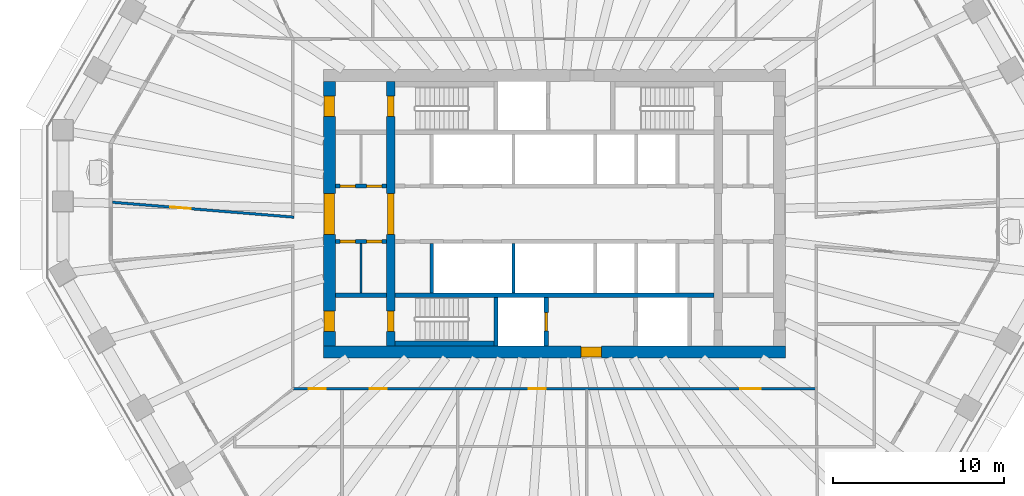
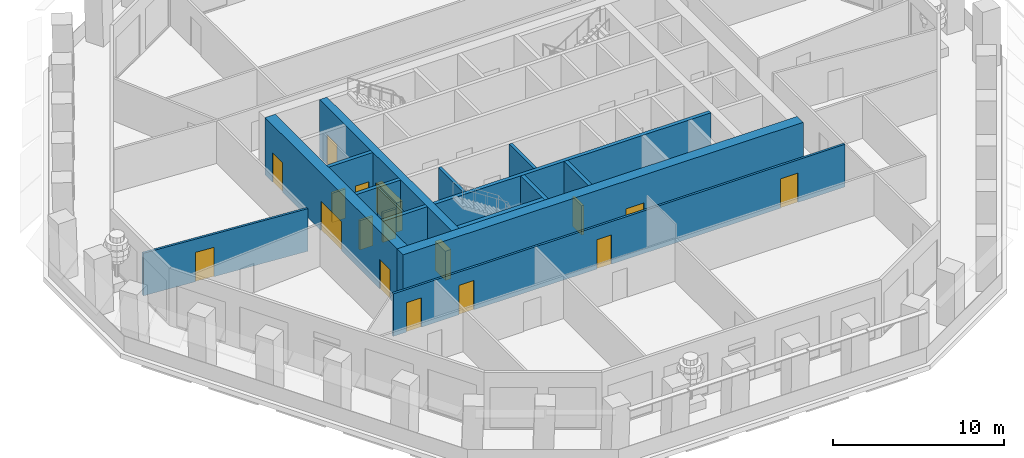
# One storey, part 4 of 13: 17 doors, 15 walls, 17 openings.
"""IFC4 building model written with IfcOpenShell, lengths in metres."""

from ifc_helpers import new_model, si_unit, direction, frame, frame_2d, origin, place, context, subcontext, project, spatial, rectangle, extrude, material, layer, layer_set, type_object, element, fill, save


model = new_model("IFC4")

# Units and contexts
model_context = context("Model", 3, precision=1e-05, world=origin(), true_north=direction((0.0, 1.0)))
body_context = subcontext(model_context, "Body", "Model", "MODEL_VIEW")
ifc_project = project(units=[si_unit("LENGTHUNIT", "METRE"), si_unit("AREAUNIT", "SQUARE_METRE"), si_unit("VOLUMEUNIT", "CUBIC_METRE"), si_unit("PLANEANGLEUNIT", "RADIAN"), si_unit("MASSUNIT", "GRAM", prefix="KILO")], contexts=[model_context])

# Site, building, storey
site_placement = place(None, origin())
site = spatial("IfcSite", under=ifc_project, at=site_placement, CompositionType="ELEMENT")
building_placement = place(site_placement, origin())
building = spatial("IfcBuilding", under=site, at=building_placement, Name="Frailejon Research Tower", CompositionType="ELEMENT")
storey_placement = place(building_placement, frame((0.0, 0.0, 167.199951171875)))
storey = spatial("IfcBuildingStorey", under=building, at=storey_placement, Name="L36", CompositionType="ELEMENT", Elevation=167.199951171875)

# Wall
ifc_material_1 = material(Name="Plasterboard on steel studs", Category="steel")
ifc_layer_1 = layer(ifc_material_1, 0.125)
ifc_layer_set_1 = layer_set([ifc_layer_1], Name="Core partition 125")
wall_type_1 = type_object("IfcWallType", Name="Core partition 125", PredefinedType="PARTITIONING", material=ifc_layer_set_1)
wall_1_placement = place(storey_placement, frame((-11.35009765625, -4.64990234375, 0.0), z_axis=(0.0, 0.0, 1.0), x_axis=(0.0, 1.0, 0.0)))
element("IfcWall", 1, at=wall_1_placement, inside=storey, type_object=wall_type_1, Name="Core partition", PredefinedType="PARTITIONING", context=body_context, shape_type="SweptSolid", body=[
    extrude(rectangle(XDim=2.89990234375, YDim=0.125, at=frame_2d((1.449951171875, 0.0))), origin(), (0.0, 0.0, 1.0), 4.10009765625),
])

# Wall, openings, doors
ifc_material_2 = material(Name="Concrete C60/75", Category="concrete")
ifc_layer_2 = layer(ifc_material_2, 0.5)
ifc_layer_set_2 = layer_set([ifc_layer_2], Name="Core shear wall 500 C60/75")
wall_type_2 = type_object("IfcWallType", Name="Core shear wall 500 C60/75", PredefinedType="SHEAR", material=ifc_layer_set_2)
wall_2_placement = place(storey_placement, frame((-9.60009765625, -7.75, 0.0), z_axis=(0.0, 0.0, 1.0), x_axis=(0.0, 1.0, 0.0)))
wall_2 = element("IfcWall", 2, at=wall_2_placement, inside=storey, type_object=wall_type_2, Name="Core shear wall", PredefinedType="SHEAR", context=body_context, shape_type="SweptSolid", body=[
    extrude(rectangle(XDim=15.5, YDim=0.5, at=frame_2d((7.75, 0.0))), origin(), (0.0, 0.0, 1.0), 4.10009765625),
])
opening_1_placement = place(wall_2_placement, frame((6.550048828125, 0.0, 0.0)))
opening_1 = element("IfcOpeningElement", 3, at=opening_1_placement, cuts=wall_2, Name="Opening D2", PredefinedType="OPENING", context=body_context, shape_type="SweptSolid", body=[
    extrude(rectangle(XDim=2.39990234375, YDim=2.10009765625, at=frame_2d((1.199951171875, 1.050048828125))), frame((0.0, 0.260009765625, 0.0), z_axis=(0.0, -1.0, 0.0), x_axis=(1.0, 0.0, 0.0)), (0.0, 0.0, 1.0), 0.52001953125),
])
opening_2_placement = place(wall_2_placement, frame((13.449951171875, 0.0, 0.0)))
opening_2 = element("IfcOpeningElement", 4, at=opening_2_placement, cuts=wall_2, Name="Opening D1", PredefinedType="OPENING", context=body_context, shape_type="SweptSolid", body=[
    extrude(rectangle(XDim=1.199951171875, YDim=2.10009765625, at=frame_2d((0.60009765625, 1.050048828125))), frame((0.0, 0.260009765625, 0.0), z_axis=(0.0, -1.0, 0.0), x_axis=(1.0, 0.0, 0.0)), (0.0, 0.0, 1.0), 0.52001953125),
])
opening_3_placement = place(wall_2_placement, frame((0.85009765625, 0.0, 0.0)))
opening_3 = element("IfcOpeningElement", 5, at=opening_3_placement, cuts=wall_2, Name="Opening D1", PredefinedType="OPENING", context=body_context, shape_type="SweptSolid", body=[
    extrude(rectangle(XDim=1.199951171875, YDim=2.10009765625, at=frame_2d((0.60009765625, 1.050048828125))), frame((0.0, 0.260009765625, 0.0), z_axis=(0.0, -1.0, 0.0), x_axis=(1.0, 0.0, 0.0)), (0.0, 0.0, 1.0), 0.52001953125),
])
ifc_material_3 = material(Name="Steel", Category="steel")
door_type_1 = type_object("IfcDoorType", Name="Lobby double door", OperationType="DOUBLE_DOOR_SINGLE_SWING", PredefinedType="DOOR", material=ifc_material_3)
door_1_placement = place(opening_1_placement, origin())
door_1 = element("IfcDoor", 6, at=door_1_placement, inside=storey, type_object=door_type_1, Name="Lobby door", OperationType="DOUBLE_DOOR_SINGLE_SWING", OverallHeight=2.10009765625, OverallWidth=2.39990234375, PredefinedType="DOOR", context=body_context, shape_type="SweptSolid", body=[
    extrude(rectangle(XDim=2.39990234375, YDim=2.10009765625, at=frame_2d((1.199951171875, 1.050048828125))), frame((0.0, 0.199951171875, 0.0), z_axis=(0.0, -1.0, 0.0), x_axis=(1.0, 0.0, 0.0)), (0.0, 0.0, 1.0), 0.39990234375),
])
fill(opening_1, door_1)
ifc_material_4 = material(Name="Steel", Category="steel")
door_type_2 = type_object("IfcDoorType", Name="Stair door", OperationType="SINGLE_SWING_LEFT", PredefinedType="DOOR", material=ifc_material_4)
door_2_placement = place(opening_2_placement, origin())
door_2 = element("IfcDoor", 7, at=door_2_placement, inside=storey, type_object=door_type_2, Name="Stair door ST1", OperationType="SINGLE_SWING_LEFT", OverallHeight=2.10009765625, OverallWidth=1.199951171875, PredefinedType="DOOR", context=body_context, shape_type="SweptSolid", body=[
    extrude(rectangle(XDim=1.199951171875, YDim=2.10009765625, at=frame_2d((0.60009765625, 1.050048828125))), frame((0.0, 0.199951171875, 0.0), z_axis=(0.0, -1.0, 0.0), x_axis=(1.0, 0.0, 0.0)), (0.0, 0.0, 1.0), 0.39990234375),
])
fill(opening_2, door_2)
door_3_placement = place(opening_3_placement, origin())
door_3 = element("IfcDoor", 8, at=door_3_placement, inside=storey, type_object=door_type_2, Name="Stair door ST2", OperationType="SINGLE_SWING_LEFT", OverallHeight=2.10009765625, OverallWidth=1.199951171875, PredefinedType="DOOR", context=body_context, shape_type="SweptSolid", body=[
    extrude(rectangle(XDim=1.199951171875, YDim=2.10009765625, at=frame_2d((0.60009765625, 1.050048828125))), frame((0.0, 0.199951171875, 0.0), z_axis=(0.0, -1.0, 0.0), x_axis=(1.0, 0.0, 0.0)), (0.0, 0.0, 1.0), 0.39990234375),
])
fill(opening_3, door_3)

# Wall, opening, door
ifc_material_5 = material(Name="Concrete C60/75", Category="concrete")
ifc_layer_3 = layer(ifc_material_5, 0.699951171875)
ifc_layer_set_3 = layer_set([ifc_layer_3], Name="Core shear wall 700 C60/75")
wall_type_3 = type_object("IfcWallType", Name="Core shear wall 700 C60/75", PredefinedType="SHEAR", material=ifc_layer_set_3)
wall_3_placement = place(storey_placement, frame((-13.550048828125, -8.10009765625, 0.0), z_axis=(0.0, 0.0, 1.0), x_axis=(1.0, 0.0, 0.0)))
wall_3 = element("IfcWall", 9, at=wall_3_placement, inside=storey, type_object=wall_type_3, Name="Core shear wall", PredefinedType="SHEAR", context=body_context, shape_type="SweptSolid", body=[
    extrude(rectangle(XDim=27.10009765625, YDim=0.699951171875, at=frame_2d((13.550048828125, 0.0))), origin(), (0.0, 0.0, 1.0), 4.10009765625),
])
opening_4_placement = place(wall_3_placement, frame((15.10009765625, 0.0, 0.0)))
opening_4 = element("IfcOpeningElement", 10, at=opening_4_placement, cuts=wall_3, Name="Opening D3", PredefinedType="OPENING", context=body_context, shape_type="SweptSolid", body=[
    extrude(rectangle(XDim=1.199951171875, YDim=2.10009765625, at=frame_2d((0.60009765625, 1.050048828125))), frame((0.0, 0.35986328125, 0.0), z_axis=(0.0, -1.0, 0.0), x_axis=(1.0, 0.0, 0.0)), (0.0, 0.0, 1.0), 0.719970703125),
])
ifc_material_6 = material(Name="Steel", Category="steel")
door_type_3 = type_object("IfcDoorType", Name="Firefighting lobby door", OperationType="SINGLE_SWING_LEFT", PredefinedType="DOOR", material=ifc_material_6)
door_4_placement = place(opening_4_placement, origin())
door_4 = element("IfcDoor", 11, at=door_4_placement, inside=storey, type_object=door_type_3, Name="Firefighting lobby door", OperationType="SINGLE_SWING_LEFT", OverallHeight=2.10009765625, OverallWidth=1.199951171875, PredefinedType="DOOR", context=body_context, shape_type="SweptSolid", body=[
    extrude(rectangle(XDim=1.199951171875, YDim=2.10009765625, at=frame_2d((0.60009765625, 1.050048828125))), frame((0.0, 0.300048828125, 0.0), z_axis=(0.0, -1.0, 0.0), x_axis=(1.0, 0.0, 0.0)), (0.0, 0.0, 1.0), 0.60009765625),
])
fill(opening_4, door_4)

# Wall, openings, doors
wall_4_placement = place(storey_placement, frame((-13.199951171875, -7.75, 0.0), z_axis=(0.0, 0.0, 1.0), x_axis=(0.0, 1.0, 0.0)))
wall_4 = element("IfcWall", 12, at=wall_4_placement, inside=storey, type_object=wall_type_3, Name="Core shear wall", PredefinedType="SHEAR", context=body_context, shape_type="SweptSolid", body=[
    extrude(rectangle(XDim=15.5, YDim=0.699951171875, at=frame_2d((7.75, 0.0))), origin(), (0.0, 0.0, 1.0), 4.10009765625),
])
opening_5_placement = place(wall_4_placement, frame((6.550048828125, 0.0, 0.0)))
opening_5 = element("IfcOpeningElement", 13, at=opening_5_placement, cuts=wall_4, Name="Opening D2", PredefinedType="OPENING", context=body_context, shape_type="SweptSolid", body=[
    extrude(rectangle(XDim=2.39990234375, YDim=2.10009765625, at=frame_2d((1.199951171875, 1.050048828125))), frame((0.0, 0.35986328125, 0.0), z_axis=(0.0, -1.0, 0.0), x_axis=(1.0, 0.0, 0.0)), (0.0, 0.0, 1.0), 0.719970703125),
])
opening_6_placement = place(wall_4_placement, frame((13.449951171875, 0.0, 0.0)))
opening_6 = element("IfcOpeningElement", 14, at=opening_6_placement, cuts=wall_4, Name="Opening D7", PredefinedType="OPENING", context=body_context, shape_type="SweptSolid", body=[
    extrude(rectangle(XDim=1.199951171875, YDim=2.10009765625, at=frame_2d((0.60009765625, 1.050048828125))), frame((0.0, 0.35986328125, 0.0), z_axis=(0.0, -1.0, 0.0), x_axis=(1.0, 0.0, 0.0)), (0.0, 0.0, 1.0), 0.719970703125),
])
opening_7_placement = place(wall_4_placement, frame((0.85009765625, 0.0, 0.0)))
opening_7 = element("IfcOpeningElement", 15, at=opening_7_placement, cuts=wall_4, Name="Opening D7", PredefinedType="OPENING", context=body_context, shape_type="SweptSolid", body=[
    extrude(rectangle(XDim=1.199951171875, YDim=2.10009765625, at=frame_2d((0.60009765625, 1.050048828125))), frame((0.0, 0.35986328125, 0.0), z_axis=(0.0, -1.0, 0.0), x_axis=(1.0, 0.0, 0.0)), (0.0, 0.0, 1.0), 0.719970703125),
])
door_5_placement = place(opening_5_placement, origin())
door_5 = element("IfcDoor", 16, at=door_5_placement, inside=storey, type_object=door_type_1, Name="Lobby door", OperationType="DOUBLE_DOOR_SINGLE_SWING", OverallHeight=2.10009765625, OverallWidth=2.39990234375, PredefinedType="DOOR", context=body_context, shape_type="SweptSolid", body=[
    extrude(rectangle(XDim=2.39990234375, YDim=2.10009765625, at=frame_2d((1.199951171875, 1.050048828125))), frame((0.0, 0.300048828125, 0.0), z_axis=(0.0, -1.0, 0.0), x_axis=(1.0, 0.0, 0.0)), (0.0, 0.0, 1.0), 0.60009765625),
])
fill(opening_5, door_5)
ifc_material_7 = material(Name="Steel", Category="steel")
door_type_4 = type_object("IfcDoorType", Name="Stair exit door", OperationType="SINGLE_SWING_LEFT", PredefinedType="DOOR", material=ifc_material_7)
door_6_placement = place(opening_6_placement, origin())
door_6 = element("IfcDoor", 17, at=door_6_placement, inside=storey, type_object=door_type_4, Name="Stair exit door ST1", OperationType="SINGLE_SWING_RIGHT", OverallHeight=2.10009765625, OverallWidth=1.199951171875, PredefinedType="DOOR", context=body_context, shape_type="SweptSolid", body=[
    extrude(rectangle(XDim=1.199951171875, YDim=2.10009765625, at=frame_2d((0.60009765625, 1.050048828125))), frame((0.0, 0.300048828125, 0.0), z_axis=(0.0, -1.0, 0.0), x_axis=(1.0, 0.0, 0.0)), (0.0, 0.0, 1.0), 0.60009765625),
])
fill(opening_6, door_6)
door_7_placement = place(opening_7_placement, origin())
door_7 = element("IfcDoor", 18, at=door_7_placement, inside=storey, type_object=door_type_4, Name="Stair exit door ST2", OperationType="SINGLE_SWING_RIGHT", OverallHeight=2.10009765625, OverallWidth=1.199951171875, PredefinedType="DOOR", context=body_context, shape_type="SweptSolid", body=[
    extrude(rectangle(XDim=1.199951171875, YDim=2.10009765625, at=frame_2d((0.60009765625, 1.050048828125))), frame((0.0, 0.300048828125, 0.0), z_axis=(0.0, -1.0, 0.0), x_axis=(1.0, 0.0, 0.0)), (0.0, 0.0, 1.0), 0.60009765625),
])
fill(opening_7, door_7)

ifc_material_8 = material(Name="Gypsum board and masonry partition", Category="masonry")
ifc_layer_4 = layer(ifc_material_8, 0.14990234375)
ifc_layer_set_4 = layer_set([ifc_layer_4], Name="Corridor wall EI 60, gypsum on steel studs 150")
wall_type_4 = type_object("IfcWallType", Name="Corridor wall EI 60, gypsum on steel studs 150", PredefinedType="PARTITIONING", material=ifc_layer_set_4)
wall_5_placement = place(storey_placement, frame((-15.300048828125, -10.25, 0.0), z_axis=(0.0, 0.0, 1.0), x_axis=(1.0, 0.0, 0.0)))
wall_5 = element("IfcWall", 19, at=wall_5_placement, inside=storey, type_object=wall_type_4, Name="T:IW:L36:006", PredefinedType="PARTITIONING", context=body_context, shape_type="SweptSolid", body=[
    extrude(rectangle(XDim=30.60009765625, YDim=0.14990234375, at=frame_2d((15.300048828125, 0.0))), origin(), (0.0, 0.0, 1.0), 3.050048828125),
])
opening_8_placement = place(wall_5_placement, frame((0.896484375, 0.0, 0.0)))
opening_8 = element("IfcOpeningElement", 20, at=opening_8_placement, cuts=wall_5, Name="Opening D1792", PredefinedType="OPENING", context=body_context, shape_type="SweptSolid", body=[
    extrude(rectangle(XDim=1.0, YDim=2.10009765625, at=frame_2d((0.5, 1.050048828125))), frame((0.0, 0.0849609375, 0.0), z_axis=(0.0, -1.0, 0.0), x_axis=(1.0, 0.0, 0.0)), (0.0, 0.0, 1.0), 0.169921875),
])
opening_9_placement = place(wall_5_placement, frame((4.46337890625, 0.0, 0.0)))
opening_9 = element("IfcOpeningElement", 21, at=opening_9_placement, cuts=wall_5, Name="Opening D1794", PredefinedType="OPENING", context=body_context, shape_type="SweptSolid", body=[
    extrude(rectangle(XDim=1.0, YDim=2.10009765625, at=frame_2d((0.5, 1.050048828125))), frame((0.0, 0.0849609375, 0.0), z_axis=(0.0, -1.0, 0.0), x_axis=(1.0, 0.0, 0.0)), (0.0, 0.0, 1.0), 0.169921875),
])
opening_10_placement = place(wall_5_placement, frame((13.788330078125, 0.0, 0.0)))
opening_10 = element("IfcOpeningElement", 22, at=opening_10_placement, cuts=wall_5, Name="Opening D1796", PredefinedType="OPENING", context=body_context, shape_type="SweptSolid", body=[
    extrude(rectangle(XDim=1.0, YDim=2.10009765625, at=frame_2d((0.5, 1.050048828125))), frame((0.0, 0.0849609375, 0.0), z_axis=(0.0, -1.0, 0.0), x_axis=(1.0, 0.0, 0.0)), (0.0, 0.0, 1.0), 0.169921875),
])
opening_11_placement = place(wall_5_placement, frame((26.21044921875, 0.0, 0.0)))
opening_11 = element("IfcOpeningElement", 23, at=opening_11_placement, cuts=wall_5, Name="Opening D1799", PredefinedType="OPENING", context=body_context, shape_type="SweptSolid", body=[
    extrude(rectangle(XDim=1.199951171875, YDim=2.10009765625, at=frame_2d((0.60009765625, 1.050048828125))), frame((0.0, 0.0849609375, 0.0), z_axis=(0.0, -1.0, 0.0), x_axis=(1.0, 0.0, 0.0)), (0.0, 0.0, 1.0), 0.169921875),
])
ifc_material_9 = material(Name="Timber door leaf", Category="wood")
door_type_5 = type_object("IfcDoorType", Name="Door laboratory, timber, vision panel 1000", OperationType="NOTDEFINED", PredefinedType="DOOR", material=ifc_material_9)
door_8_placement = place(opening_9_placement, origin())
door_8 = element("IfcDoor", 24, at=door_8_placement, inside=storey, type_object=door_type_5, Name="D1794", OperationType="SINGLE_SWING_RIGHT", OverallHeight=2.10009765625, OverallWidth=1.0, PredefinedType="DOOR", context=body_context, shape_type="SweptSolid", body=[
    extrude(rectangle(XDim=1.0, YDim=2.10009765625, at=frame_2d((0.5, 1.050048828125))), frame((0.0, 0.02490234375, 0.0), z_axis=(0.0, -1.0, 0.0), x_axis=(1.0, 0.0, 0.0)), (0.0, 0.0, 1.0), 0.050048828125),
])
fill(opening_9, door_8)
ifc_material_10 = material(Name="Timber door leaf", Category="wood")
door_type_6 = type_object("IfcDoorType", Name="Door single leaf, timber, steel frame 1000", OperationType="NOTDEFINED", PredefinedType="DOOR", material=ifc_material_10)
door_9_placement = place(opening_8_placement, origin())
door_9 = element("IfcDoor", 25, at=door_9_placement, inside=storey, type_object=door_type_6, Name="D1792", OperationType="SINGLE_SWING_LEFT", OverallHeight=2.10009765625, OverallWidth=1.0, PredefinedType="DOOR", context=body_context, shape_type="SweptSolid", body=[
    extrude(rectangle(XDim=1.0, YDim=2.10009765625, at=frame_2d((0.5, 1.050048828125))), frame((0.0, 0.02490234375, 0.0), z_axis=(0.0, -1.0, 0.0), x_axis=(1.0, 0.0, 0.0)), (0.0, 0.0, 1.0), 0.050048828125),
])
fill(opening_8, door_9)
door_10_placement = place(opening_10_placement, origin())
door_10 = element("IfcDoor", 26, at=door_10_placement, inside=storey, type_object=door_type_6, Name="D1796", OperationType="SINGLE_SWING_RIGHT", OverallHeight=2.10009765625, OverallWidth=1.0, PredefinedType="DOOR", context=body_context, shape_type="SweptSolid", body=[
    extrude(rectangle(XDim=1.0, YDim=2.10009765625, at=frame_2d((0.5, 1.050048828125))), frame((0.0, 0.02490234375, 0.0), z_axis=(0.0, -1.0, 0.0), x_axis=(1.0, 0.0, 0.0)), (0.0, 0.0, 1.0), 0.050048828125),
])
fill(opening_10, door_10)
ifc_material_11 = material(Name="Timber door leaf", Category="wood")
door_type_7 = type_object("IfcDoorType", Name="Door single leaf, timber, steel frame 1200", OperationType="NOTDEFINED", PredefinedType="DOOR", material=ifc_material_11)
door_11_placement = place(opening_11_placement, origin())
door_11 = element("IfcDoor", 27, at=door_11_placement, inside=storey, type_object=door_type_7, Name="D1799", OperationType="DOUBLE_DOOR_SINGLE_SWING", OverallHeight=2.10009765625, OverallWidth=1.199951171875, PredefinedType="DOOR", context=body_context, shape_type="SweptSolid", body=[
    extrude(rectangle(XDim=1.199951171875, YDim=2.10009765625, at=frame_2d((0.60009765625, 1.050048828125))), frame((0.0, 0.02490234375, 0.0), z_axis=(0.0, -1.0, 0.0), x_axis=(1.0, 0.0, 0.0)), (0.0, 0.0, 1.0), 0.050048828125),
])
fill(opening_11, door_11)

# Wall, opening, door
wall_6_placement = place(storey_placement, frame((-25.912109375, 0.675048828125, 0.0), z_axis=(0.0, 0.0, 1.0), x_axis=(0.996657796031, -0.081689886835, 0.0)))
wall_6 = element("IfcWall", 28, at=wall_6_placement, inside=storey, type_object=wall_type_4, Name="T:IW:L36:007", PredefinedType="PARTITIONING", context=body_context, shape_type="SweptSolid", body=[
    extrude(rectangle(XDim=10.67236328125, YDim=0.14990234375, at=frame_2d((5.336181640625, 0.0))), origin(), (0.0, 0.0, 1.0), 3.050048828125),
])
opening_12_placement = place(wall_6_placement, frame((3.39404296875, 0.0, 0.0)))
opening_12 = element("IfcOpeningElement", 29, at=opening_12_placement, cuts=wall_6, Name="Opening D1790", PredefinedType="OPENING", context=body_context, shape_type="SweptSolid", body=[
    extrude(rectangle(XDim=1.199951171875, YDim=2.10009765625, at=frame_2d((0.60009765625, 1.050048828125))), frame((0.0, 0.0849609375, 0.0), z_axis=(0.0, -1.0, 0.0), x_axis=(1.0, 0.0, 0.0)), (0.0, 0.0, 1.0), 0.169921875),
])
ifc_material_12 = material(Name="Timber door leaf", Category="wood")
door_type_8 = type_object("IfcDoorType", Name="Door laboratory, timber, vision panel 1200", OperationType="NOTDEFINED", PredefinedType="DOOR", material=ifc_material_12)
door_12_placement = place(opening_12_placement, origin())
door_12 = element("IfcDoor", 30, at=door_12_placement, inside=storey, type_object=door_type_8, Name="D1790", OperationType="DOUBLE_DOOR_SINGLE_SWING", OverallHeight=2.10009765625, OverallWidth=1.199951171875, PredefinedType="DOOR", context=body_context, shape_type="SweptSolid", body=[
    extrude(rectangle(XDim=1.199951171875, YDim=2.10009765625, at=frame_2d((0.60009765625, 1.050048828125))), frame((0.0, 0.02490234375, 0.0), z_axis=(0.0, -1.0, 0.0), x_axis=(1.0, 0.0, 0.0)), (0.0, 0.0, 1.0), 0.050048828125),
])
fill(opening_12, door_12)

# Walls
ifc_material_13 = material(Name="Concrete C60/75", Category="concrete")
ifc_layer_5 = layer(ifc_material_13, 0.199951171875)
ifc_layer_set_5 = layer_set([ifc_layer_5], Name="Shaft wall 200 C60/75")
wall_type_5 = type_object("IfcWallType", Name="Shaft wall 200 C60/75", PredefinedType="SOLIDWALL", material=ifc_layer_set_5)
for number, where, z_axis, x_axis, name in (
    (31, (-7.199951171875, -4.64990234375, 0.0), (0.0, 0.0, 1.0), (0.0, 1.0, 0.0), "Shaft wall"),
    (32, (-2.39990234375, -4.64990234375, 0.0), (0.0, 0.0, 1.0), (0.0, 1.0, 0.0), "Shaft wall"),
):
    element("IfcWall", number, at=place(storey_placement, frame(where, z_axis=z_axis, x_axis=x_axis)), inside=storey, type_object=wall_type_5, Name=name, PredefinedType="SOLIDWALL", context=body_context, shape_type="SweptSolid", body=[
        extrude(rectangle(XDim=2.89990234375, YDim=0.199951171875, at=frame_2d((1.449951171875, 0.0))), origin(), (0.0, 0.0, 1.0), 4.10009765625),
    ])

# Wall, openings, doors
ifc_material_14 = material(Name="Concrete C60/75", Category="concrete")
ifc_layer_6 = layer(ifc_material_14, 0.25)
ifc_layer_set_6 = layer_set([ifc_layer_6], Name="Shaft wall 250 C60/75")
wall_type_6 = type_object("IfcWallType", Name="Shaft wall 250 C60/75", PredefinedType="SOLIDWALL", material=ifc_layer_set_6)
wall_7_placement = place(storey_placement, frame((-12.85009765625, 1.625, 0.0), z_axis=(0.0, 0.0, 1.0), x_axis=(1.0, 0.0, 0.0)))
wall_7 = element("IfcWall", 33, at=wall_7_placement, inside=storey, type_object=wall_type_6, Name="Shaft wall", PredefinedType="SOLIDWALL", context=body_context, shape_type="SweptSolid", body=[
    extrude(rectangle(XDim=3.0, YDim=0.25, at=frame_2d((1.5, 0.0))), origin(), (0.0, 0.0, 1.0), 4.10009765625),
])
opening_13_placement = place(wall_7_placement, frame((0.268798828125, 0.0, 0.0)))
opening_13 = element("IfcOpeningElement", 34, at=opening_13_placement, cuts=wall_7, Name="Opening D8", PredefinedType="OPENING", context=body_context, shape_type="SweptSolid", body=[
    extrude(rectangle(XDim=0.89990234375, YDim=2.10009765625, at=frame_2d((0.449951171875, 1.050048828125))), frame((0.0, 0.135009765625, 0.0), z_axis=(0.0, -1.0, 0.0), x_axis=(1.0, 0.0, 0.0)), (0.0, 0.0, 1.0), 0.27001953125),
])
opening_14_placement = place(wall_7_placement, frame((1.831298828125, 0.0, 0.0)))
opening_14 = element("IfcOpeningElement", 35, at=opening_14_placement, cuts=wall_7, Name="Opening D8", PredefinedType="OPENING", context=body_context, shape_type="SweptSolid", body=[
    extrude(rectangle(XDim=0.89990234375, YDim=2.10009765625, at=frame_2d((0.449951171875, 1.050048828125))), frame((0.0, 0.135009765625, 0.0), z_axis=(0.0, -1.0, 0.0), x_axis=(1.0, 0.0, 0.0)), (0.0, 0.0, 1.0), 0.27001953125),
])
ifc_material_15 = material(Name="Steel", Category="steel")
door_type_9 = type_object("IfcDoorType", Name="Core room door", OperationType="SINGLE_SWING_LEFT", PredefinedType="DOOR", material=ifc_material_15)
door_13_placement = place(opening_13_placement, origin())
door_13 = element("IfcDoor", 36, at=door_13_placement, inside=storey, type_object=door_type_9, Name="Room door", OperationType="SINGLE_SWING_LEFT", OverallHeight=2.10009765625, OverallWidth=0.89990234375, PredefinedType="DOOR", context=body_context, shape_type="SweptSolid", body=[
    extrude(rectangle(XDim=0.89990234375, YDim=2.10009765625, at=frame_2d((0.449951171875, 1.050048828125))), frame((0.0, 0.074951171875, 0.0), z_axis=(0.0, -1.0, 0.0), x_axis=(1.0, 0.0, 0.0)), (0.0, 0.0, 1.0), 0.14990234375),
])
fill(opening_13, door_13)
door_14_placement = place(opening_14_placement, origin())
door_14 = element("IfcDoor", 37, at=door_14_placement, inside=storey, type_object=door_type_9, Name="Room door", OperationType="SINGLE_SWING_RIGHT", OverallHeight=2.10009765625, OverallWidth=0.89990234375, PredefinedType="DOOR", context=body_context, shape_type="SweptSolid", body=[
    extrude(rectangle(XDim=0.89990234375, YDim=2.10009765625, at=frame_2d((0.449951171875, 1.050048828125))), frame((0.0, 0.074951171875, 0.0), z_axis=(0.0, -1.0, 0.0), x_axis=(1.0, 0.0, 0.0)), (0.0, 0.0, 1.0), 0.14990234375),
])
fill(opening_14, door_14)

wall_8_placement = place(storey_placement, frame((-12.85009765625, -1.625, 0.0), z_axis=(0.0, 0.0, 1.0), x_axis=(1.0, 0.0, 0.0)))
wall_8 = element("IfcWall", 38, at=wall_8_placement, inside=storey, type_object=wall_type_6, Name="Shaft wall", PredefinedType="SOLIDWALL", context=body_context, shape_type="SweptSolid", body=[
    extrude(rectangle(XDim=3.0, YDim=0.25, at=frame_2d((1.5, 0.0))), origin(), (0.0, 0.0, 1.0), 4.10009765625),
])
opening_15_placement = place(wall_8_placement, frame((0.268798828125, 0.0, 0.0)))
opening_15 = element("IfcOpeningElement", 39, at=opening_15_placement, cuts=wall_8, Name="Opening D8", PredefinedType="OPENING", context=body_context, shape_type="SweptSolid", body=[
    extrude(rectangle(XDim=0.89990234375, YDim=2.10009765625, at=frame_2d((0.449951171875, 1.050048828125))), frame((0.0, 0.135009765625, 0.0), z_axis=(0.0, -1.0, 0.0), x_axis=(1.0, 0.0, 0.0)), (0.0, 0.0, 1.0), 0.27001953125),
])
opening_16_placement = place(wall_8_placement, frame((1.831298828125, 0.0, 0.0)))
opening_16 = element("IfcOpeningElement", 40, at=opening_16_placement, cuts=wall_8, Name="Opening D8", PredefinedType="OPENING", context=body_context, shape_type="SweptSolid", body=[
    extrude(rectangle(XDim=0.89990234375, YDim=2.10009765625, at=frame_2d((0.449951171875, 1.050048828125))), frame((0.0, 0.135009765625, 0.0), z_axis=(0.0, -1.0, 0.0), x_axis=(1.0, 0.0, 0.0)), (0.0, 0.0, 1.0), 0.27001953125),
])
door_15_placement = place(opening_15_placement, origin())
door_15 = element("IfcDoor", 41, at=door_15_placement, inside=storey, type_object=door_type_9, Name="Room door", OperationType="SINGLE_SWING_LEFT", OverallHeight=2.10009765625, OverallWidth=0.89990234375, PredefinedType="DOOR", context=body_context, shape_type="SweptSolid", body=[
    extrude(rectangle(XDim=0.89990234375, YDim=2.10009765625, at=frame_2d((0.449951171875, 1.050048828125))), frame((0.0, 0.074951171875, 0.0), z_axis=(0.0, -1.0, 0.0), x_axis=(1.0, 0.0, 0.0)), (0.0, 0.0, 1.0), 0.14990234375),
])
fill(opening_15, door_15)
door_16_placement = place(opening_16_placement, origin())
door_16 = element("IfcDoor", 42, at=door_16_placement, inside=storey, type_object=door_type_9, Name="Room door", OperationType="SINGLE_SWING_RIGHT", OverallHeight=2.10009765625, OverallWidth=0.89990234375, PredefinedType="DOOR", context=body_context, shape_type="SweptSolid", body=[
    extrude(rectangle(XDim=0.89990234375, YDim=2.10009765625, at=frame_2d((0.449951171875, 1.050048828125))), frame((0.0, 0.074951171875, 0.0), z_axis=(0.0, -1.0, 0.0), x_axis=(1.0, 0.0, 0.0)), (0.0, 0.0, 1.0), 0.14990234375),
])
fill(opening_16, door_16)

# Walls
wall_9_placement = place(storey_placement, frame((-12.85009765625, -4.77490234375, 0.0), z_axis=(0.0, 0.0, 1.0), x_axis=(1.0, 0.0, 0.0)))
element("IfcWall", 43, at=wall_9_placement, inside=storey, type_object=wall_type_6, Name="Shaft wall", PredefinedType="SOLIDWALL", context=body_context, shape_type="SweptSolid", body=[
    extrude(rectangle(XDim=3.0, YDim=0.25, at=frame_2d((1.5, 0.0))), origin(), (0.0, 0.0, 1.0), 4.10009765625),
])
wall_10_placement = place(storey_placement, frame((-9.35009765625, -4.77490234375, 0.0), z_axis=(0.0, 0.0, 1.0), x_axis=(1.0, 0.0, 0.0)))
element("IfcWall", 44, at=wall_10_placement, inside=storey, type_object=wall_type_6, Name="Shaft wall", PredefinedType="SOLIDWALL", context=body_context, shape_type="SweptSolid", body=[
    extrude(rectangle(XDim=18.7001953125, YDim=0.25, at=frame_2d((9.35009765625, 0.0))), origin(), (0.0, 0.0, 1.0), 4.10009765625),
])
wall_11_placement = place(storey_placement, frame((-3.425048828125, -7.75, 0.0), z_axis=(0.0, 0.0, 1.0), x_axis=(0.0, 1.0, 0.0)))
element("IfcWall", 45, at=wall_11_placement, inside=storey, type_object=wall_type_6, Name="Shaft wall", PredefinedType="SOLIDWALL", context=body_context, shape_type="SweptSolid", body=[
    extrude(rectangle(XDim=2.85009765625, YDim=0.25, at=frame_2d((1.425048828125, 0.0))), origin(), (0.0, 0.0, 1.0), 4.10009765625),
])

# Wall, opening, door
wall_12_placement = place(storey_placement, frame((-0.47509765625, -7.75, 0.0), z_axis=(0.0, 0.0, 1.0), x_axis=(0.0, 1.0, 0.0)))
wall_12 = element("IfcWall", 46, at=wall_12_placement, inside=storey, type_object=wall_type_6, Name="Shaft wall", PredefinedType="SOLIDWALL", context=body_context, shape_type="SweptSolid", body=[
    extrude(rectangle(XDim=2.85009765625, YDim=0.25, at=frame_2d((1.425048828125, 0.0))), origin(), (0.0, 0.0, 1.0), 4.10009765625),
])
opening_17_placement = place(wall_12_placement, frame((0.875, 0.0, 0.0)))
opening_17 = element("IfcOpeningElement", 47, at=opening_17_placement, cuts=wall_12, Name="Opening LD", PredefinedType="OPENING", context=body_context, shape_type="SweptSolid", body=[
    extrude(rectangle(XDim=1.10009765625, YDim=2.10009765625, at=frame_2d((0.550048828125, 1.050048828125))), frame((0.0, 0.135009765625, 0.0), z_axis=(0.0, -1.0, 0.0), x_axis=(1.0, 0.0, 0.0)), (0.0, 0.0, 1.0), 0.27001953125),
])
ifc_material_16 = material(Name="Steel", Category="steel")
door_type_10 = type_object("IfcDoorType", Name="Lift landing door", OperationType="DOUBLE_DOOR_SLIDING", PredefinedType="DOOR", material=ifc_material_16)
door_17_placement = place(opening_17_placement, origin())
door_17 = element("IfcDoor", 48, at=door_17_placement, inside=storey, type_object=door_type_10, Name="Lift landing door", OperationType="DOUBLE_DOOR_SLIDING", OverallHeight=2.10009765625, OverallWidth=1.10009765625, PredefinedType="DOOR", context=body_context, shape_type="SweptSolid", body=[
    extrude(rectangle(XDim=1.10009765625, YDim=2.10009765625, at=frame_2d((0.550048828125, 1.050048828125))), frame((0.0, 0.074951171875, 0.0), z_axis=(0.0, -1.0, 0.0), x_axis=(1.0, 0.0, 0.0)), (0.0, 0.0, 1.0), 0.14990234375),
])
fill(opening_17, door_17)

# Wall
ifc_material_17 = material(Name="Concrete C60/75", Category="concrete")
ifc_layer_7 = layer(ifc_material_17, 0.300048828125)
ifc_layer_set_7 = layer_set([ifc_layer_7], Name="Shaft wall 300 C60/75")
wall_type_7 = type_object("IfcWallType", Name="Shaft wall 300 C60/75", PredefinedType="SOLIDWALL", material=ifc_layer_set_7)
wall_13_placement = place(storey_placement, frame((-9.35009765625, -7.60009765625, 0.0), z_axis=(0.0, 0.0, 1.0), x_axis=(1.0, 0.0, 0.0)))
element("IfcWall", 49, at=wall_13_placement, inside=storey, type_object=wall_type_7, Name="Shaft wall", PredefinedType="SOLIDWALL", context=body_context, shape_type="SweptSolid", body=[
    extrude(rectangle(XDim=5.800048828125, YDim=0.300048828125, at=frame_2d((2.89990234375, 0.0))), origin(), (0.0, 0.0, 1.0), 4.10009765625),
])

save(model, "model.ifc")
